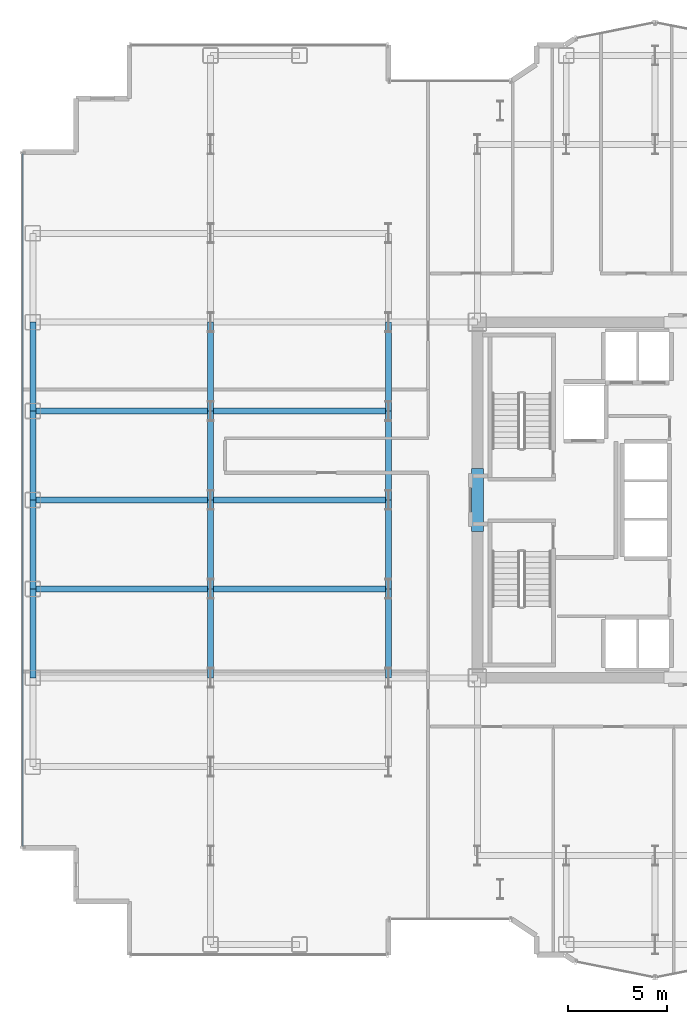
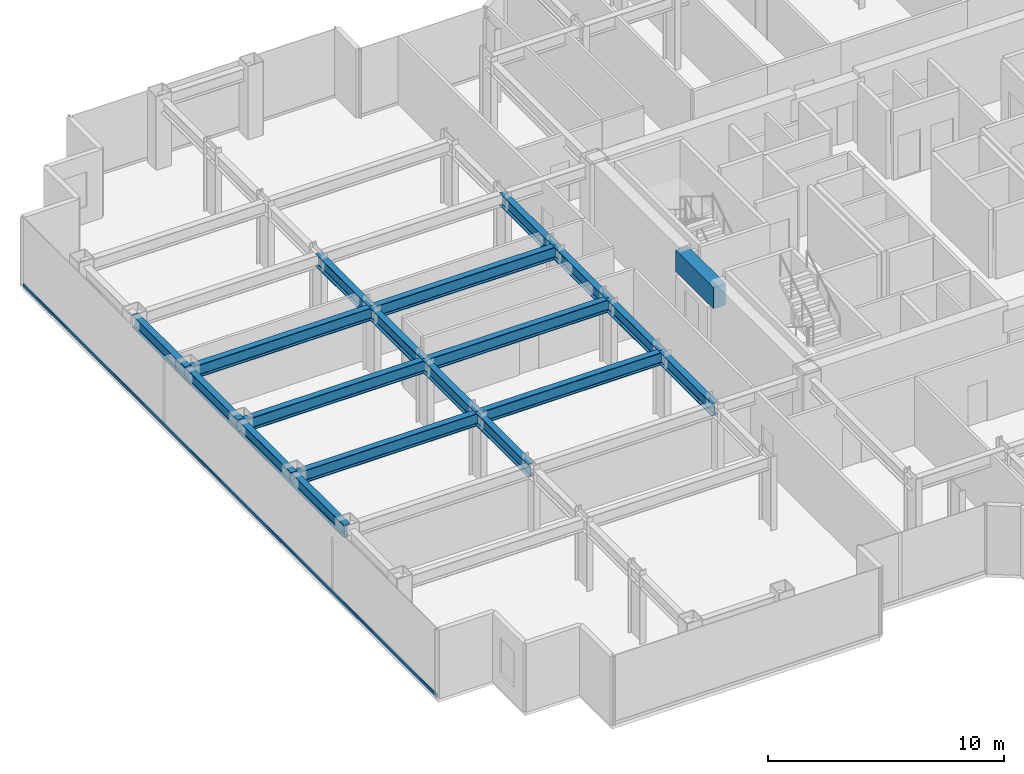
# One storey, part 5 of 26: 19 beams, 1 member, 1 element without a shape of its own.
"""IFC4 building model written with IfcOpenShell, lengths in metres."""

from ifc_helpers import new_model, si_unit, direction, frame, origin, origin_2d, place, context, subcontext, project, spatial, rectangle, hollow_rectangle, i_section, extrude, source, transform, mapped, material, layer, layer_set, material_profile, profile_set, type_object, element, aggregate, save


model = new_model("IFC4")

# Units and contexts
model_context = context("Model", 3, precision=1e-05, world=origin(), true_north=direction((0.0, 1.0)))
body_context = subcontext(model_context, "Body", "Model", "MODEL_VIEW")
ifc_project = project(units=[si_unit("LENGTHUNIT", "METRE"), si_unit("AREAUNIT", "SQUARE_METRE"), si_unit("VOLUMEUNIT", "CUBIC_METRE"), si_unit("PLANEANGLEUNIT", "RADIAN"), si_unit("MASSUNIT", "GRAM", prefix="KILO")], contexts=[model_context])

# Site, building, storey
site_placement = place(None, origin())
site = spatial("IfcSite", under=ifc_project, at=site_placement, CompositionType="ELEMENT")
building_placement = place(site_placement, origin())
building = spatial("IfcBuilding", under=site, at=building_placement, Name="Nefas-Gora Pilgrimage Tower", CompositionType="ELEMENT")
storey_placement = place(building_placement, frame((0.0, 0.0, 132.60009765625)))
storey = spatial("IfcBuildingStorey", under=building, at=storey_placement, Name="L32", CompositionType="ELEMENT", Elevation=132.60009765625)

# Beams
ifc_material_1 = material(Name="Concrete C60/75", Category="concrete")
ifc_material_profile_1 = material_profile(ifc_material_1, rectangle(XDim=0.60009765625, YDim=1.10009765625, at=origin_2d()), Name="RC 600x1100")
ifc_profile_set_1 = profile_set([ifc_material_profile_1], Name="Concrete C60/75")
beam_type_1 = type_object("IfcBeamType", Name="BM-LIN-RC1100", PredefinedType="LINTEL", material=ifc_profile_set_1)
shared_shape_1 = source(origin(), body_context, "Body", "SweptSolid", [
    extrude(rectangle(XDim=0.60009765625, YDim=1.10009765625, at=origin_2d()), origin(), (0.0, 0.0, 1.0), 3.2001953125),
])
beam_placement = place(storey_placement, frame((-11.25, -1.60009765625, 3.0), z_axis=(0.0, 1.0, 0.0), x_axis=(-1.0, 0.0, 0.0)))
element("IfcBeam", 1, at=beam_placement, inside=storey, type_object=beam_type_1, Name="L32 Core Coupling Lintel Beam W", PredefinedType="LINTEL", context=body_context, shape_type="MappedRepresentation", body=[
    mapped(shared_shape_1, transform((0.0, 0.0, 0.0), x_axis=(1.0, 0.0, 0.0), y_axis=(0.0, 1.0, 0.0), z_axis=(0.0, 0.0, 1.0), scale=1.0)),
])
ifc_material_2 = material(Name="Steel S355", Category="steel")
ifc_material_profile_2 = material_profile(ifc_material_2, i_section(OverallWidth=0.300048828125, OverallDepth=0.64990234375, WebThickness=0.01611328125, FlangeThickness=0.031005859375, FilletRadius=0.027099609375, at=origin_2d()), Name="HEB 650")
ifc_profile_set_2 = profile_set([ifc_material_profile_2], Name="Steel S355")
beam_type_2 = type_object("IfcBeamType", Name="BM-SPN-HEB500", PredefinedType="SPANDREL", material=ifc_profile_set_2)
shared_shape_2 = source(origin(), body_context, "Body", "SweptSolid", [
    extrude(i_section(OverallWidth=0.300048828125, OverallDepth=0.64990234375, WebThickness=0.01611328125, FlangeThickness=0.031005859375, FilletRadius=0.027099609375, at=origin_2d()), origin(), (0.0, 0.0, 1.0), 4.5),
])
for number, where, z_axis, x_axis, name in (
    (2, (-33.75, -9.0, 3.224853515625), (0.0, 1.0, 0.0), (-1.0, 0.0, 0.0), "L32 SP-02 beam"),
    (3, (-33.75, -4.5, 3.224853515625), (0.0, 1.0, 0.0), (-1.0, 0.0, 0.0), "L32 SP-02 beam"),
    (4, (-33.75, 0.0, 3.224853515625), (0.0, 1.0, 0.0), (-1.0, 0.0, 0.0), "L32 SP-02 beam"),
    (5, (-33.75, 4.5, 3.224853515625), (0.0, 1.0, 0.0), (-1.0, 0.0, 0.0), "L32 SP-02 beam"),
):
    element("IfcBeam", number, at=place(storey_placement, frame(where, z_axis=z_axis, x_axis=x_axis)), inside=storey, type_object=beam_type_2, Name=name, PredefinedType="SPANDREL", context=body_context, shape_type="MappedRepresentation", body=[
        mapped(shared_shape_2, transform((0.0, 0.0, 0.0), x_axis=(1.0, 0.0, 0.0), y_axis=(0.0, 1.0, 0.0), z_axis=(0.0, 0.0, 1.0), scale=1.0)),
    ])
ifc_material_profile_3 = material_profile(ifc_material_2, i_section(OverallWidth=0.300048828125, OverallDepth=0.64990234375, WebThickness=0.01611328125, FlangeThickness=0.031005859375, FilletRadius=0.027099609375, at=origin_2d()), Name="HEB 650")
ifc_profile_set_3 = profile_set([ifc_material_profile_3], Name="Steel S355")
beam_type_3 = type_object("IfcBeamType", Name="BM-GIR-HEB650", PredefinedType="BEAM", material=ifc_profile_set_3)
shared_shape_3 = source(origin(), body_context, "Body", "SweptSolid", [
    extrude(i_section(OverallWidth=0.300048828125, OverallDepth=0.64990234375, WebThickness=0.01611328125, FlangeThickness=0.031005859375, FilletRadius=0.027099609375, at=origin_2d()), origin(), (0.0, 0.0, 1.0), 9.0),
])
for number, where, z_axis, x_axis, name in (
    (6, (-33.75, -4.5, 3.224853515625), (1.0, 0.0, 0.0), (0.0, 1.0, 0.0), "L32 G-03 beam"),
    (7, (-33.75, 0.0, 3.224853515625), (1.0, 0.0, 0.0), (0.0, 1.0, 0.0), "L32 G-03 beam"),
    (8, (-33.75, 4.5, 3.224853515625), (1.0, 0.0, 0.0), (0.0, 1.0, 0.0), "L32 G-03 beam"),
    (9, (-24.75, -4.5, 3.224853515625), (1.0, 0.0, 0.0), (0.0, 1.0, 0.0), "L32 G-03 beam"),
    (10, (-24.75, 0.0, 3.224853515625), (1.0, 0.0, 0.0), (0.0, 1.0, 0.0), "L32 G-03 beam"),
    (11, (-24.75, 4.5, 3.224853515625), (1.0, 0.0, 0.0), (0.0, 1.0, 0.0), "L32 G-03 beam"),
):
    element("IfcBeam", number, at=place(storey_placement, frame(where, z_axis=z_axis, x_axis=x_axis)), inside=storey, type_object=beam_type_3, Name=name, PredefinedType="BEAM", context=body_context, shape_type="MappedRepresentation", body=[
        mapped(shared_shape_3, transform((0.0, 0.0, 0.0), x_axis=(1.0, 0.0, 0.0), y_axis=(0.0, 1.0, 0.0), z_axis=(0.0, 0.0, 1.0), scale=1.0)),
    ])
shared_shape_4 = source(origin(), body_context, "Body", "SweptSolid", [
    extrude(i_section(OverallWidth=0.300048828125, OverallDepth=0.64990234375, WebThickness=0.01611328125, FlangeThickness=0.031005859375, FilletRadius=0.027099609375, at=origin_2d()), origin(), (0.0, 0.0, 1.0), 4.5),
])
for number, where, z_axis, x_axis, name in (
    (12, (-24.75, -9.0, 3.224853515625), (0.0, 1.0, 0.0), (-1.0, 0.0, 0.0), "L32 G-03 beam"),
    (13, (-24.75, -4.5, 3.224853515625), (0.0, 1.0, 0.0), (-1.0, 0.0, 0.0), "L32 G-03 beam"),
    (14, (-24.75, 0.0, 3.224853515625), (0.0, 1.0, 0.0), (-1.0, 0.0, 0.0), "L32 G-03 beam"),
    (15, (-24.75, 4.5, 3.224853515625), (0.0, 1.0, 0.0), (-1.0, 0.0, 0.0), "L32 G-03 beam"),
    (16, (-15.75, -9.0, 3.224853515625), (0.0, 1.0, 0.0), (-1.0, 0.0, 0.0), "L32 G-03 beam"),
    (17, (-15.75, -4.5, 3.224853515625), (0.0, 1.0, 0.0), (-1.0, 0.0, 0.0), "L32 G-03 beam"),
    (18, (-15.75, 0.0, 3.224853515625), (0.0, 1.0, 0.0), (-1.0, 0.0, 0.0), "L32 G-03 beam"),
    (19, (-15.75, 4.5, 3.224853515625), (0.0, 1.0, 0.0), (-1.0, 0.0, 0.0), "L32 G-03 beam"),
):
    element("IfcBeam", number, at=place(storey_placement, frame(where, z_axis=z_axis, x_axis=x_axis)), inside=storey, type_object=beam_type_3, Name=name, PredefinedType="BEAM", context=body_context, shape_type="MappedRepresentation", body=[
        mapped(shared_shape_4, transform((0.0, 0.0, 0.0), x_axis=(1.0, 0.0, 0.0), y_axis=(0.0, 1.0, 0.0), z_axis=(0.0, 0.0, 1.0), scale=1.0)),
    ])

# Curtain wall, member
ifc_material_3 = material(Name="Dark ceramic-fritted solar-control aluminium-glass curtain wall", Category="aluminium")
ifc_layer = layer(ifc_material_3, 0.219970703125)
ifc_layer_set = layer_set([ifc_layer], Name="Dark ceramic-fritted solar-control aluminium-glass curtain wall")
curtain_wall_type = type_object("IfcCurtainWallType", Name="CW-SYS-2", PredefinedType="NOTDEFINED", material=ifc_layer_set)
curtain_wall_placement = place(storey_placement, origin())
curtain_wall = element("IfcCurtainWall", 20, at=curtain_wall_placement, inside=storey, type_object=curtain_wall_type, Name="L32 Unitised Curtain Wall CW2", PredefinedType="NOTDEFINED")
ifc_material_4 = material(Name="Anodised architectural aluminium", Category="aluminium")
ifc_material_profile_4 = material_profile(ifc_material_4, hollow_rectangle(XDim=0.080078125, YDim=0.159912109375, WallThickness=0.00439453125, InnerFilletRadius=0.00439453125, OuterFilletRadius=0.009033203125, at=origin_2d()), Name="ALU TRANSOM 80x160")
ifc_profile_set_4 = profile_set([ifc_material_profile_4], Name="Anodised architectural aluminium")
member_type = type_object("IfcMemberType", Name="CWM-TRN-2", PredefinedType="USERDEFINED", material=ifc_profile_set_4)
shared_shape_5 = source(origin(), body_context, "Body", "SweptSolid", [
    extrude(hollow_rectangle(XDim=0.080078125, YDim=0.159912109375, WallThickness=0.00439453125, InnerFilletRadius=0.00439453125, OuterFilletRadius=0.009033203125, at=origin_2d()), origin(), (0.0, 0.0, 1.0), 35.06005859375),
])
member_placement = place(storey_placement, frame((-34.27001953125, 17.530029296875, 0.0498046875), z_axis=(0.0, -1.0, 0.0), x_axis=(1.0, 0.0, 0.0)))
member = element("IfcMember", 21, at=member_placement, type_object=member_type, Name="CW2 Spandrel Transom", ObjectType="TRANSOM", PredefinedType="USERDEFINED", context=body_context, shape_type="MappedRepresentation", body=[
    mapped(shared_shape_5, transform((0.0, 0.0, 0.0), x_axis=(1.0, 0.0, 0.0), y_axis=(0.0, 1.0, 0.0), z_axis=(0.0, 0.0, 1.0), scale=1.0)),
])
aggregate(curtain_wall, [member])

save(model, "model.ifc")
